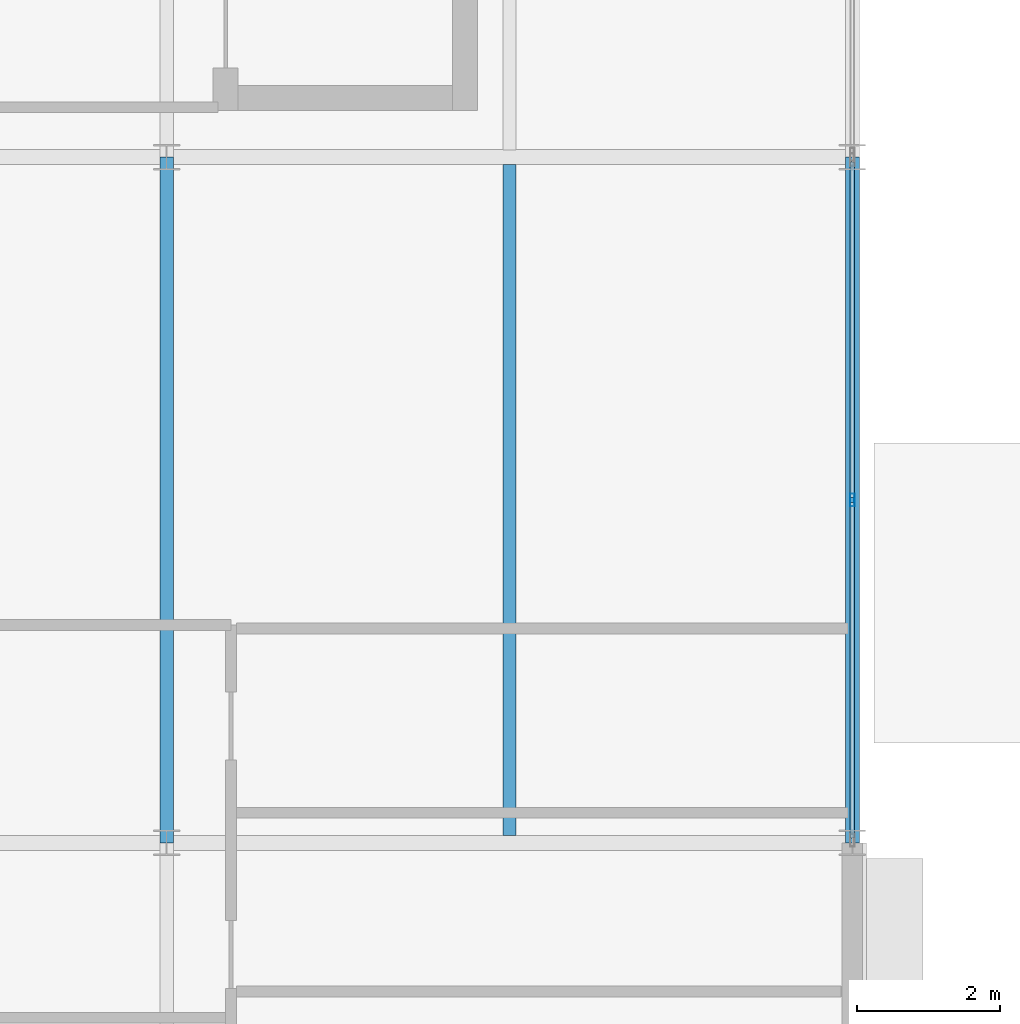
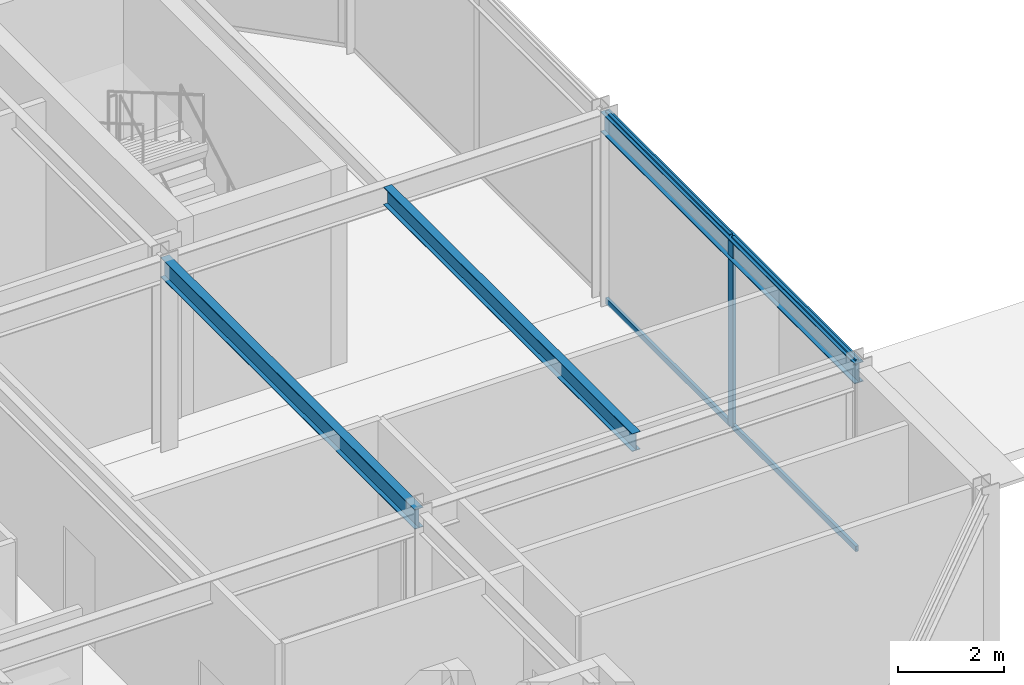
# One storey, part 50 of 133: 5 members, 3 beams, 1 element without a shape of its own.
"""IFC4 building model written with IfcOpenShell, lengths in metres."""

from ifc_helpers import new_model, si_unit, direction, frame, origin, origin_2d, place, context, subcontext, project, spatial, hollow_rectangle, i_section, extrude, material, material_profile, profile_set, type_object, element, aggregate, save


model = new_model("IFC4")

# Units and contexts
model_context = context("Model", 3, precision=1e-05, world=origin(), true_north=direction((0.0, 1.0)))
body_context = subcontext(model_context, "Body", "Model", "MODEL_VIEW")
ifc_project = project(units=[si_unit("LENGTHUNIT", "METRE"), si_unit("AREAUNIT", "SQUARE_METRE"), si_unit("VOLUMEUNIT", "CUBIC_METRE"), si_unit("PLANEANGLEUNIT", "RADIAN"), si_unit("MASSUNIT", "GRAM", prefix="KILO")], contexts=[model_context])

# Site, building, storey
site_placement = place(None, origin())
site = spatial("IfcSite", under=ifc_project, at=site_placement, CompositionType="ELEMENT")
building_placement = place(site_placement, origin())
building = spatial("IfcBuilding", under=site, at=building_placement, Name="Almandine Court Research Institute", CompositionType="ELEMENT")
storey_placement = place(building_placement, frame((0.0, 0.0, 9.800048828125)))
storey = spatial("IfcBuildingStorey", under=building, at=storey_placement, Name="L02", CompositionType="ELEMENT", Elevation=9.800048828125)

# Beams
ifc_material_1 = material(Name="Steel ASTM A992 Grade 50", Category="steel")
ifc_material_profile_1 = material_profile(ifc_material_1, i_section(OverallWidth=0.18994140625, OverallDepth=0.45703125, WebThickness=0.009033203125, FlangeThickness=0.014892578125, at=origin_2d()), Name="W460x74")
ifc_profile_set_1 = profile_set([ifc_material_profile_1], Name="Steel ASTM A992 Grade 50")
beam_type_1 = type_object("IfcBeamType", Name="Beam-B-01", PredefinedType="BEAM", material=ifc_profile_set_1)
beam_1_placement = place(storey_placement, frame((25.199951171875, 93.60009765625, 4.140869140625), z_axis=(0.0, 1.0, 0.0), x_axis=(-1.0, 0.0, 0.0)))
element("IfcBeam", 1, at=beam_1_placement, inside=storey, type_object=beam_type_1, Name="L02 V3 Primary Y Girder", PredefinedType="BEAM", context=body_context, shape_type="SweptSolid", body=[
    extrude(i_section(OverallWidth=0.18994140625, OverallDepth=0.45703125, WebThickness=0.009033203125, FlangeThickness=0.014892578125, at=origin_2d()), origin(), (0.0, 0.0, 1.0), 9.599853515625),
])
ifc_material_profile_2 = material_profile(ifc_material_1, i_section(OverallWidth=0.178955078125, OverallDepth=0.409912109375, WebThickness=0.009033203125, FlangeThickness=0.013916015625, at=origin_2d()), Name="W410x67")
ifc_profile_set_2 = profile_set([ifc_material_profile_2], Name="Steel ASTM A992 Grade 50")
beam_type_2 = type_object("IfcBeamType", Name="Beam-B-02", PredefinedType="JOIST", material=ifc_profile_set_2)
beam_2_placement = place(storey_placement, frame((30.0, 93.702880859375, 4.1650390625), z_axis=(0.0, 1.0, 0.0), x_axis=(-1.0, 0.0, 0.0)))
element("IfcBeam", 2, at=beam_2_placement, inside=storey, type_object=beam_type_2, Name="L02 V3 Composite Secondary Beam", PredefinedType="JOIST", context=body_context, shape_type="SweptSolid", body=[
    extrude(i_section(OverallWidth=0.178955078125, OverallDepth=0.409912109375, WebThickness=0.009033203125, FlangeThickness=0.013916015625, at=origin_2d()), origin(), (0.0, 0.0, 1.0), 9.39404296875),
])
ifc_material_profile_3 = material_profile(ifc_material_1, i_section(OverallWidth=0.193115234375, OverallDepth=0.466064453125, WebThickness=0.010986328125, FlangeThickness=0.01904296875, at=origin_2d()), Name="W460x97")
ifc_profile_set_3 = profile_set([ifc_material_profile_3], Name="Steel ASTM A992 Grade 50")
beam_type_3 = type_object("IfcBeamType", Name="Beam-G-06-E", PredefinedType="SPANDREL", material=ifc_profile_set_3)
beam_3_placement = place(storey_placement, frame((34.800048828125, 93.60009765625, 4.136962890625), z_axis=(0.0, 1.0, 0.0), x_axis=(-1.0, 0.0, 0.0)))
element("IfcBeam", 3, at=beam_3_placement, inside=storey, type_object=beam_type_3, Name="L02 V3 Primary Y Girder", PredefinedType="SPANDREL", context=body_context, shape_type="SweptSolid", body=[
    extrude(i_section(OverallWidth=0.193115234375, OverallDepth=0.466064453125, WebThickness=0.010986328125, FlangeThickness=0.01904296875, at=origin_2d()), origin(), (0.0, 0.0, 1.0), 9.599853515625),
])

# Curtain wall, members
ifc_material_2 = material(Name="Unitised Curtain Wall Framing and Solar Glazing", Category="glass")
curtain_wall_type = type_object("IfcCurtainWallType", Name="CW-CWJ-02", PredefinedType="USERDEFINED", material=ifc_material_2)
curtain_wall_placement = place(storey_placement, origin())
curtain_wall = element("IfcCurtainWall", 4, at=curtain_wall_placement, inside=storey, type_object=curtain_wall_type, Name="L02 Cleanroom East Courtyard Jali Screen 2", ObjectType="SOLAR JALI SCREEN", PredefinedType="USERDEFINED")
ifc_material_3 = material(Name="Anodised Aluminium AW-6063-T6", Category="aluminium")
ifc_material_profile_4 = material_profile(ifc_material_3, hollow_rectangle(XDim=0.06494140625, YDim=0.179931640625, WallThickness=0.00390625, at=origin_2d()), Name="ALU RHS 65x180x4")
ifc_profile_set_4 = profile_set([ifc_material_profile_4], Name="Anodised Aluminium AW-6063-T6")
member_type_1 = type_object("IfcMemberType", Name="CWMul-65x180", PredefinedType="MULLION", material=ifc_profile_set_4)
member_1_placement = place(storey_placement, frame((34.800048828125, 98.39990234375, 0.0), z_axis=(0.0, 0.0, 1.0), x_axis=(1.0, 0.0, 0.0)))
member_1 = element("IfcMember", 5, at=member_1_placement, type_object=member_type_1, Name="CWJ-02 mullion 2", PredefinedType="MULLION", context=body_context, shape_type="SweptSolid", body=[
    extrude(hollow_rectangle(XDim=0.06494140625, YDim=0.179931640625, WallThickness=0.00390625, at=origin_2d()), origin(), (0.0, 0.0, 1.0), 4.369873046875),
])
ifc_material_profile_5 = material_profile(ifc_material_3, hollow_rectangle(XDim=0.06494140625, YDim=0.1298828125, WallThickness=0.00390625, at=origin_2d()), Name="ALU RHS 65x130x4")
ifc_profile_set_5 = profile_set([ifc_material_profile_5], Name="Anodised Aluminium AW-6063-T6")
member_type_2 = type_object("IfcMemberType", Name="CWTrn-65x130", PredefinedType="NOTDEFINED", material=ifc_profile_set_5)
member_2_placement = place(storey_placement, frame((34.800048828125, 103.131103515625, 0.032470703125), z_axis=(0.0, -1.0, 0.0), x_axis=(1.0, 0.0, 0.0)))
member_2 = element("IfcMember", 6, at=member_2_placement, type_object=member_type_2, Name="CWJ-02 transom 1.1", ObjectType="TRANSOM", PredefinedType="USERDEFINED", context=body_context, shape_type="SweptSolid", body=[
    extrude(hollow_rectangle(XDim=0.06494140625, YDim=0.1298828125, WallThickness=0.00390625, at=origin_2d()), origin(), (0.0, 0.0, 1.0), 4.698486328125),
])
member_3_placement = place(storey_placement, frame((34.800048828125, 103.131103515625, 4.33740234375), z_axis=(0.0, -1.0, 0.0), x_axis=(1.0, 0.0, 0.0)))
member_3 = element("IfcMember", 7, at=member_3_placement, type_object=member_type_2, Name="CWJ-02 transom 1.2", ObjectType="TRANSOM", PredefinedType="USERDEFINED", context=body_context, shape_type="SweptSolid", body=[
    extrude(hollow_rectangle(XDim=0.06494140625, YDim=0.1298828125, WallThickness=0.00390625, at=origin_2d()), origin(), (0.0, 0.0, 1.0), 4.698486328125),
])
member_4_placement = place(storey_placement, frame((34.800048828125, 98.367431640625, 0.032470703125), z_axis=(0.0, -1.0, 0.0), x_axis=(1.0, 0.0, 0.0)))
member_4 = element("IfcMember", 8, at=member_4_placement, type_object=member_type_2, Name="CWJ-02 transom 2.1", ObjectType="TRANSOM", PredefinedType="USERDEFINED", context=body_context, shape_type="SweptSolid", body=[
    extrude(hollow_rectangle(XDim=0.06494140625, YDim=0.1298828125, WallThickness=0.00390625, at=origin_2d()), origin(), (0.0, 0.0, 1.0), 4.698486328125),
])
member_5_placement = place(storey_placement, frame((34.800048828125, 98.367431640625, 4.33740234375), z_axis=(0.0, -1.0, 0.0), x_axis=(1.0, 0.0, 0.0)))
member_5 = element("IfcMember", 9, at=member_5_placement, type_object=member_type_2, Name="CWJ-02 transom 2.2", ObjectType="TRANSOM", PredefinedType="USERDEFINED", context=body_context, shape_type="SweptSolid", body=[
    extrude(hollow_rectangle(XDim=0.06494140625, YDim=0.1298828125, WallThickness=0.00390625, at=origin_2d()), origin(), (0.0, 0.0, 1.0), 4.698486328125),
])
aggregate(curtain_wall, [member_1, member_2, member_3, member_4, member_5])

save(model, "model.ifc")
